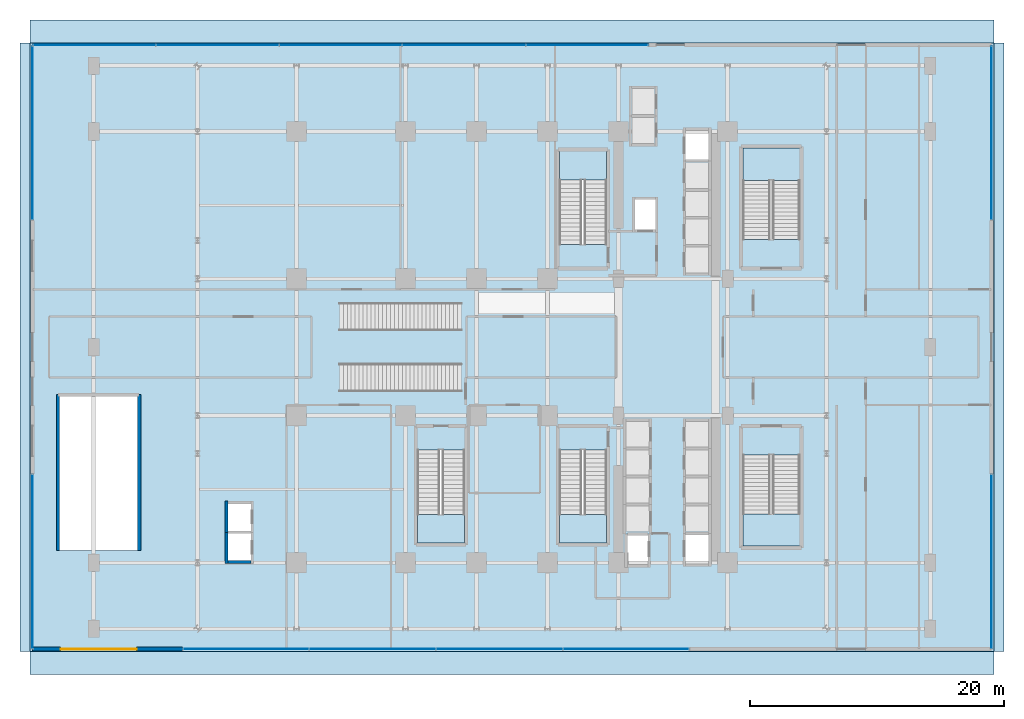
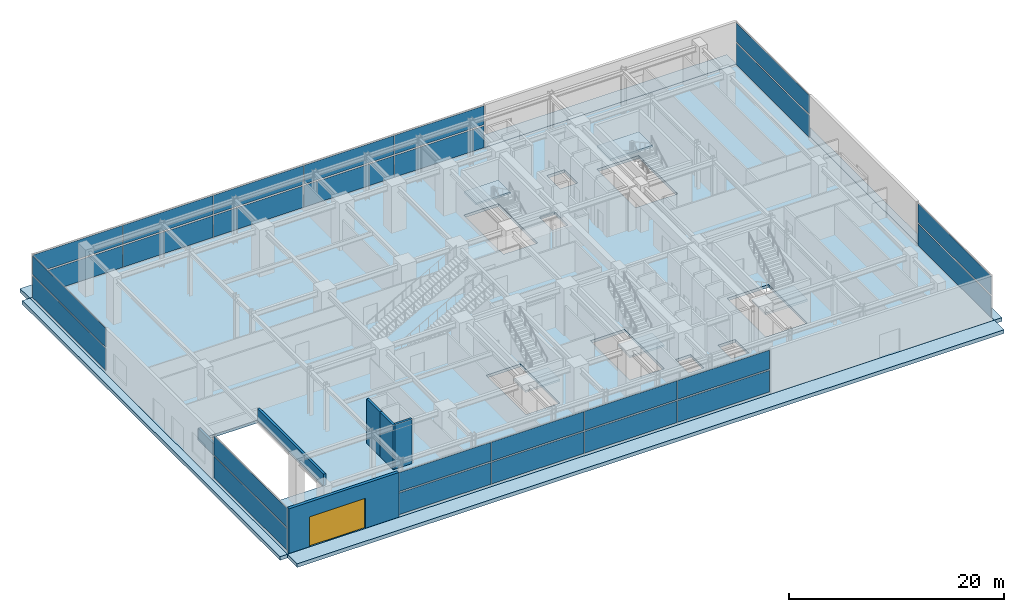
# One storey, part 21 of 29: 26 plates, 10 slabs, 6 walls, 1 door, 1 opening, 11 elements without a shape of their own.
"""IFC4 building model written with IfcOpenShell, lengths in metres."""

from ifc_helpers import new_model, si_unit, direction, frame, frame_2d, origin, origin_2d, place, context, subcontext, project, spatial, polyline, rectangle, outline, extrude, source, transform, mapped, material, layer, layer_set, type_object, element, fill, aggregate, save


model = new_model("IFC4")

# Units and contexts
model_context = context("Model", 3, precision=1e-05, world=origin(), true_north=direction((0.0, 1.0)))
body_context = subcontext(model_context, "Body", "Model", "MODEL_VIEW")
ifc_project = project(units=[si_unit("LENGTHUNIT", "METRE"), si_unit("AREAUNIT", "SQUARE_METRE"), si_unit("VOLUMEUNIT", "CUBIC_METRE"), si_unit("PLANEANGLEUNIT", "RADIAN"), si_unit("MASSUNIT", "GRAM", prefix="KILO")], contexts=[model_context])

# Site, building, storey
site_placement = place(None, origin())
site = spatial("IfcSite", under=ifc_project, at=site_placement, CompositionType="ELEMENT")
building_placement = place(site_placement, origin())
building = spatial("IfcBuilding", under=site, at=building_placement, Name="Nahalor Promenade Grand Hotel", CompositionType="ELEMENT")
storey_placement = place(building_placement, origin())
storey = spatial("IfcBuildingStorey", under=building, at=storey_placement, Name="L00", CompositionType="ELEMENT", Elevation=0.0)

# Stair, slab
ifc_material_1 = material(Name="Concrete B-50 (C40/50)", Category="concrete")
stair_type_1 = type_object("IfcStairType", Name="Stair-ST1", PredefinedType="HALF_TURN_STAIR", material=ifc_material_1)
stair_1_placement = place(storey_placement, origin())
stair_1 = element("IfcStair", 1, at=stair_1_placement, inside=storey, type_object=stair_type_1, Name="L00 ST1", PredefinedType="HALF_TURN_STAIR")
ifc_layer_1 = layer(ifc_material_1, 0.199951171875)
ifc_layer_set_1 = layer_set([ifc_layer_1], Name="Concrete B-50 (C40/50)")
slab_type_1 = type_object("IfcSlabType", Name="Landing-ST1", PredefinedType="LANDING", material=ifc_layer_set_1)
slab_1_placement = place(storey_placement, frame((0.0, 0.0, 2.5)))
slab_1 = element("IfcSlab", 2, at=slab_1_placement, type_object=slab_type_1, Name="ST1 landing 1", PredefinedType="LANDING", context=body_context, shape_type="SweptSolid", body=[
    extrude(outline(polyline([(7.449951171875, 13.199951171875), (7.449951171875, 15.449951171875), (3.75, 15.449951171875), (3.75, 13.199951171875), (7.449951171875, 13.199951171875)])), origin(), (0.0, 0.0, 1.0), 0.199951171875),
])
aggregate(stair_1, [slab_1])

stair_type_2 = type_object("IfcStairType", Name="Stair-ST2", PredefinedType="HALF_TURN_STAIR", material=ifc_material_1)
stair_2_placement = place(storey_placement, origin())
stair_2 = element("IfcStair", 3, at=stair_2_placement, inside=storey, type_object=stair_type_2, Name="L00 ST2", PredefinedType="HALF_TURN_STAIR")
ifc_layer_2 = layer(ifc_material_1, 0.2099609375)
ifc_layer_set_2 = layer_set([ifc_layer_2], Name="Concrete B-50 (C40/50)")
slab_type_2 = type_object("IfcSlabType", Name="Landing-ST2", PredefinedType="LANDING", material=ifc_layer_set_2)
slab_2_placement = place(storey_placement, frame((0.0, 0.0, 2.489990234375)))
slab_2 = element("IfcSlab", 4, at=slab_2_placement, type_object=slab_type_2, Name="ST2 landing 1", PredefinedType="LANDING", context=body_context, shape_type="SweptSolid", body=[
    extrude(outline(polyline([(3.75, -13.199951171875), (3.75, -15.449951171875), (7.449951171875, -15.449951171875), (7.449951171875, -13.199951171875), (3.75, -13.199951171875)])), origin(), (0.0, 0.0, 1.0), 0.2099609375),
])
aggregate(stair_2, [slab_2])

stair_type_3 = type_object("IfcStairType", Name="Stair-ST3", PredefinedType="HALF_TURN_STAIR", material=ifc_material_1)
stair_3_placement = place(storey_placement, origin())
stair_3 = element("IfcStair", 5, at=stair_3_placement, inside=storey, type_object=stair_type_3, Name="L00 ST3", PredefinedType="HALF_TURN_STAIR")
ifc_layer_3 = layer(ifc_material_1, 0.219970703125)
ifc_layer_set_3 = layer_set([ifc_layer_3], Name="Concrete B-50 (C40/50)")
slab_type_3 = type_object("IfcSlabType", Name="Landing-ST3", PredefinedType="LANDING", material=ifc_layer_set_3)
slab_3_placement = place(storey_placement, frame((0.0, 0.0, 2.47998046875)))
slab_3 = element("IfcSlab", 6, at=slab_3_placement, type_object=slab_type_3, Name="ST3 landing 1", PredefinedType="LANDING", context=body_context, shape_type="SweptSolid", body=[
    extrude(outline(polyline([(-7.449951171875, -13.199951171875), (-7.449951171875, -15.449951171875), (-3.75, -15.449951171875), (-3.75, -13.199951171875), (-7.449951171875, -13.199951171875)])), origin(), (0.0, 0.0, 1.0), 0.219970703125),
])
aggregate(stair_3, [slab_3])

stair_type_4 = type_object("IfcStairType", Name="Stair-ST4", PredefinedType="HALF_TURN_STAIR", material=ifc_material_1)
stair_4_placement = place(storey_placement, origin())
stair_4 = element("IfcStair", 7, at=stair_4_placement, inside=storey, type_object=stair_type_4, Name="L00 ST4", PredefinedType="HALF_TURN_STAIR")
ifc_layer_4 = layer(ifc_material_1, 0.239990234375)
ifc_layer_set_4 = layer_set([ifc_layer_4], Name="Concrete B-50 (C40/50)")
slab_type_4 = type_object("IfcSlabType", Name="Landing-ST4", PredefinedType="LANDING", material=ifc_layer_set_4)
slab_4_placement = place(storey_placement, frame((0.0, 0.0, 2.4599609375)))
slab_4 = element("IfcSlab", 8, at=slab_4_placement, type_object=slab_type_4, Name="ST4 landing 1", PredefinedType="LANDING", context=body_context, shape_type="SweptSolid", body=[
    extrude(outline(polyline([(22.699951171875, 13.14990234375), (22.699951171875, 15.699951171875), (18.199951171875, 15.699951171875), (18.199951171875, 13.14990234375), (22.699951171875, 13.14990234375)])), origin(), (0.0, 0.0, 1.0), 0.239990234375),
])
aggregate(stair_4, [slab_4])

stair_type_5 = type_object("IfcStairType", Name="Stair-ST5", PredefinedType="HALF_TURN_STAIR", material=ifc_material_1)
stair_5_placement = place(storey_placement, origin())
stair_5 = element("IfcStair", 9, at=stair_5_placement, inside=storey, type_object=stair_type_5, Name="L00 ST5", PredefinedType="HALF_TURN_STAIR")
ifc_layer_5 = layer(ifc_material_1, 0.25)
ifc_layer_set_5 = layer_set([ifc_layer_5], Name="Concrete B-50 (C40/50)")
slab_type_5 = type_object("IfcSlabType", Name="Landing-ST5", PredefinedType="LANDING", material=ifc_layer_set_5)
slab_5_placement = place(storey_placement, frame((0.0, 0.0, 2.449951171875)))
slab_5 = element("IfcSlab", 10, at=slab_5_placement, type_object=slab_type_5, Name="ST5 landing 1", PredefinedType="LANDING", context=body_context, shape_type="SweptSolid", body=[
    extrude(outline(polyline([(18.199951171875, -13.14990234375), (18.199951171875, -15.699951171875), (22.699951171875, -15.699951171875), (22.699951171875, -13.14990234375), (18.199951171875, -13.14990234375)])), origin(), (0.0, 0.0, 1.0), 0.25),
])
aggregate(stair_5, [slab_5])

# Slabs
ifc_layer_6 = layer(ifc_material_1, 0.320068359375)
ifc_layer_set_6 = layer_set([ifc_layer_6], Name="Concrete B-50 (C40/50)")
slab_type_6 = type_object("IfcSlabType", Name="Slab-Podium-320", PredefinedType="FLOOR", material=ifc_layer_set_6)
slab_6_placement = place(storey_placement, frame((0.0, 0.0, -0.320068359375)))
element("IfcSlab", 11, at=slab_6_placement, inside=storey, type_object=slab_type_6, Name="L00 Suspended Structural Floor Slab", PredefinedType="FLOOR", context=body_context, shape_type="SweptSolid", body=[
    extrude(outline(polyline([(-38.0, -24.0), (38.0, -24.0), (38.0, 24.0), (-38.0, 24.0), (-38.0, -24.0)]), holes=[polyline([(3.75, 8.10009765625), (7.449951171875, 8.10009765625), (7.449951171875, 15.449951171875), (3.75, 15.449951171875), (3.75, 8.10009765625)]), polyline([(3.75, -15.449951171875), (7.449951171875, -15.449951171875), (7.449951171875, -8.10009765625), (3.75, -8.10009765625), (3.75, -15.449951171875)]), polyline([(-7.449951171875, -15.449951171875), (-3.75, -15.449951171875), (-3.75, -8.10009765625), (-7.449951171875, -8.10009765625), (-7.449951171875, -15.449951171875)]), polyline([(18.199951171875, 8.5), (22.699951171875, 8.5), (22.699951171875, 15.699951171875), (18.199951171875, 15.699951171875), (18.199951171875, 8.5)]), polyline([(18.199951171875, -15.699951171875), (22.699951171875, -15.699951171875), (22.699951171875, -8.5), (18.199951171875, -8.5), (18.199951171875, -15.699951171875)]), polyline([(9.659912109375, 9.2099609375), (11.340087890625, 9.2099609375), (11.340087890625, 11.68994140625), (9.659912109375, 11.68994140625), (9.659912109375, 9.2099609375)]), polyline([(9.06005859375, -17.18994140625), (10.739990234375, -17.18994140625), (10.739990234375, -14.7099609375), (9.06005859375, -14.7099609375), (9.06005859375, -17.18994140625)]), polyline([(13.659912109375, 14.659912109375), (15.5400390625, 14.659912109375), (15.5400390625, 17.139892578125), (13.659912109375, 17.139892578125), (13.659912109375, 14.659912109375)]), polyline([(13.659912109375, -17.139892578125), (15.5400390625, -17.139892578125), (15.5400390625, -14.659912109375), (13.659912109375, -14.659912109375), (13.659912109375, -17.139892578125)]), polyline([(-22.43994140625, -16.889892578125), (-20.56005859375, -16.889892578125), (-20.56005859375, -14.7099609375), (-22.43994140625, -14.7099609375), (-22.43994140625, -16.889892578125)]), polyline([(-22.43994140625, -14.489990234375), (-20.56005859375, -14.489990234375), (-20.56005859375, -12.31005859375), (-22.43994140625, -12.31005859375), (-22.43994140625, -14.489990234375)]), polyline([(-35.75, -16.050048828125), (-29.449951171875, -16.050048828125), (-29.449951171875, -3.75), (-35.75, -3.75), (-35.75, -16.050048828125)])]), origin(), (0.0, 0.0, 1.0), 0.320068359375),
])
ifc_material_2 = material(Name="Concrete B-40 (C32/40)", Category="concrete")
ifc_layer_7 = layer(ifc_material_2, 0.419921875)
ifc_layer_set_7 = layer_set([ifc_layer_7], Name="Concrete B-40 (C32/40)")
slab_type_7 = type_object("IfcSlabType", Name="Slab-Promenade-420", PredefinedType="FLOOR", material=ifc_layer_set_7)
slab_7_placement = place(storey_placement, frame((0.0, 0.0, -0.419921875)))
element("IfcSlab", 12, at=slab_7_placement, inside=storey, type_object=slab_type_7, Name="L00 Waterfront Promenade Terrace SL-L00-PROM-W", PredefinedType="FLOOR", context=body_context, shape_type="SweptSolid", body=[
    extrude(outline(polyline([(-38.800048828125, -24.0), (-38.0, -24.0), (-38.0, 24.0), (-38.800048828125, 24.0), (-38.800048828125, -24.0)])), origin(), (0.0, 0.0, 1.0), 0.419921875),
])
slab_8_placement = place(storey_placement, frame((0.0, 0.0, -0.419921875)))
element("IfcSlab", 13, at=slab_8_placement, inside=storey, type_object=slab_type_7, Name="L00 Waterfront Promenade Terrace SL-L00-PROM-E", PredefinedType="FLOOR", context=body_context, shape_type="SweptSolid", body=[
    extrude(outline(polyline([(38.0, -24.0), (38.800048828125, -24.0), (38.800048828125, 24.0), (38.0, 24.0), (38.0, -24.0)])), origin(), (0.0, 0.0, 1.0), 0.419921875),
])
slab_9_placement = place(storey_placement, frame((0.0, 0.0, -0.419921875)))
element("IfcSlab", 14, at=slab_9_placement, inside=storey, type_object=slab_type_7, Name="L00 Waterfront Promenade Terrace SL-L00-PROM-S", PredefinedType="FLOOR", context=body_context, shape_type="SweptSolid", body=[
    extrude(outline(polyline([(-38.0, -25.800048828125), (38.0, -25.800048828125), (38.0, -24.0), (-38.0, -24.0), (-38.0, -25.800048828125)])), origin(), (0.0, 0.0, 1.0), 0.419921875),
])
slab_10_placement = place(storey_placement, frame((0.0, 0.0, -0.419921875)))
element("IfcSlab", 15, at=slab_10_placement, inside=storey, type_object=slab_type_7, Name="L00 Waterfront Promenade Terrace SL-L00-PROM-N", PredefinedType="FLOOR", context=body_context, shape_type="SweptSolid", body=[
    extrude(outline(polyline([(-38.0, 24.0), (38.0, 24.0), (38.0, 25.800048828125), (-38.0, 25.800048828125), (-38.0, 24.0)])), origin(), (0.0, 0.0, 1.0), 0.419921875),
])

# Curtain wall, plates
ifc_material_3 = material(Name="Anodised Bronze Aluminium EN AW-6063 T6", Category="aluminium")
curtain_wall_type = type_object("IfcCurtainWallType", Name="CW1 Waterfront Podium Bronze Arcade Curtain Wall", PredefinedType="USERDEFINED", material=ifc_material_3)
curtain_wall_1_placement = place(storey_placement, origin())
curtain_wall_1 = element("IfcCurtainWall", 16, at=curtain_wall_1_placement, inside=storey, type_object=curtain_wall_type, Name="L00 Curtain Wall CW-L00-S-MID", ObjectType="UNITISED_CURTAIN_WALL", PredefinedType="USERDEFINED")
ifc_material_4 = material(Name="Low-E Laminated Solar Glass", Category="glass")
ifc_layer_8 = layer(ifc_material_4, 0.031982421875)
ifc_layer_set_8 = layer_set([ifc_layer_8], Name="Low-E Laminated Solar Glass")
plate_type = type_object("IfcPlateType", Name="CWP1 Podium Solar Acoustic IGU 32mm", PredefinedType="CURTAIN_PANEL", material=ifc_layer_set_8)
shared_shape_1 = source(origin(), body_context, "Body", "SweptSolid", [
    extrude(rectangle(XDim=9.8798828125, YDim=0.031982421875, at=origin_2d()), origin(), (0.0, 0.0, 1.0), 2.4599609375),
])
plate_1_placement = place(storey_placement, frame((-20.97998046875, -23.820068359375, 0.159912109375), z_axis=(0.0, 0.0, 1.0), x_axis=(1.0, 0.0, 0.0)))
plate_1 = element("IfcPlate", 17, at=plate_1_placement, type_object=plate_type, Name="CW-L00-S-MID Glazing Panel 0-0", PredefinedType="CURTAIN_PANEL", context=body_context, shape_type="MappedRepresentation", body=[
    mapped(shared_shape_1, transform((0.0, 0.0, 0.0), scale=1.0)),
])
plate_2_placement = place(storey_placement, frame((8.97998046875, -23.820068359375, 0.159912109375), z_axis=(0.0, 0.0, 1.0), x_axis=(1.0, 0.0, 0.0)))
plate_2 = element("IfcPlate", 18, at=plate_2_placement, type_object=plate_type, Name="CW-L00-S-MID Glazing Panel 3-0", PredefinedType="CURTAIN_PANEL", context=body_context, shape_type="MappedRepresentation", body=[
    mapped(shared_shape_1, transform((0.0, 0.0, 0.0), scale=1.0)),
])
shared_shape_2 = source(origin(), body_context, "Body", "SweptSolid", [
    extrude(rectangle(XDim=9.8798828125, YDim=0.031982421875, at=origin_2d()), origin(), (0.0, 0.0, 1.0), 2.139892578125),
])
plate_3_placement = place(storey_placement, frame((-20.97998046875, -23.820068359375, 2.7802734375), z_axis=(0.0, 0.0, 1.0), x_axis=(1.0, 0.0, 0.0)))
plate_3 = element("IfcPlate", 19, at=plate_3_placement, type_object=plate_type, Name="CW-L00-S-MID Glazing Panel 0-1", PredefinedType="CURTAIN_PANEL", context=body_context, shape_type="MappedRepresentation", body=[
    mapped(shared_shape_2, transform((0.0, 0.0, 0.0), scale=1.0)),
])
plate_4_placement = place(storey_placement, frame((8.97998046875, -23.820068359375, 2.7802734375), z_axis=(0.0, 0.0, 1.0), x_axis=(1.0, 0.0, 0.0)))
plate_4 = element("IfcPlate", 20, at=plate_4_placement, type_object=plate_type, Name="CW-L00-S-MID Glazing Panel 3-1", PredefinedType="CURTAIN_PANEL", context=body_context, shape_type="MappedRepresentation", body=[
    mapped(shared_shape_2, transform((0.0, 0.0, 0.0), scale=1.0)),
])
shared_shape_3 = source(origin(), body_context, "Body", "SweptSolid", [
    extrude(rectangle(XDim=9.919921875, YDim=0.031982421875, at=origin_2d()), origin(), (0.0, 0.0, 1.0), 2.4599609375),
])
plate_5_placement = place(storey_placement, frame((-11.0, -23.820068359375, 0.159912109375), z_axis=(0.0, 0.0, 1.0), x_axis=(1.0, 0.0, 0.0)))
plate_5 = element("IfcPlate", 21, at=plate_5_placement, type_object=plate_type, Name="CW-L00-S-MID Glazing Panel 1-0", PredefinedType="CURTAIN_PANEL", context=body_context, shape_type="MappedRepresentation", body=[
    mapped(shared_shape_3, transform((0.0, 0.0, 0.0), scale=1.0)),
])
plate_6_placement = place(storey_placement, frame((-1.0, -23.820068359375, 0.159912109375), z_axis=(0.0, 0.0, 1.0), x_axis=(1.0, 0.0, 0.0)))
plate_6 = element("IfcPlate", 22, at=plate_6_placement, type_object=plate_type, Name="CW-L00-S-MID Glazing Panel 2-0", PredefinedType="CURTAIN_PANEL", context=body_context, shape_type="MappedRepresentation", body=[
    mapped(shared_shape_3, transform((0.0, 0.0, 0.0), scale=1.0)),
])
shared_shape_4 = source(origin(), body_context, "Body", "SweptSolid", [
    extrude(rectangle(XDim=9.919921875, YDim=0.031982421875, at=origin_2d()), origin(), (0.0, 0.0, 1.0), 2.139892578125),
])
plate_7_placement = place(storey_placement, frame((-11.0, -23.820068359375, 2.7802734375), z_axis=(0.0, 0.0, 1.0), x_axis=(1.0, 0.0, 0.0)))
plate_7 = element("IfcPlate", 23, at=plate_7_placement, type_object=plate_type, Name="CW-L00-S-MID Glazing Panel 1-1", PredefinedType="CURTAIN_PANEL", context=body_context, shape_type="MappedRepresentation", body=[
    mapped(shared_shape_4, transform((0.0, 0.0, 0.0), scale=1.0)),
])
plate_8_placement = place(storey_placement, frame((-1.0, -23.820068359375, 2.7802734375), z_axis=(0.0, 0.0, 1.0), x_axis=(1.0, 0.0, 0.0)))
plate_8 = element("IfcPlate", 24, at=plate_8_placement, type_object=plate_type, Name="CW-L00-S-MID Glazing Panel 2-1", PredefinedType="CURTAIN_PANEL", context=body_context, shape_type="MappedRepresentation", body=[
    mapped(shared_shape_4, transform((0.0, 0.0, 0.0), scale=1.0)),
])
aggregate(curtain_wall_1, [plate_1, plate_3, plate_5, plate_7, plate_6, plate_8, plate_2, plate_4])

curtain_wall_2_placement = place(storey_placement, origin())
curtain_wall_2 = element("IfcCurtainWall", 25, at=curtain_wall_2_placement, inside=storey, type_object=curtain_wall_type, Name="L00 Curtain Wall CW-L00-N-MID", ObjectType="UNITISED_CURTAIN_WALL", PredefinedType="USERDEFINED")
shared_shape_5 = source(origin(), body_context, "Body", "SweptSolid", [
    extrude(rectangle(XDim=9.60400390625, YDim=0.031982421875, at=origin_2d()), origin(), (0.0, 0.0, 1.0), 2.4599609375),
])
plate_9_placement = place(storey_placement, frame((-32.93798828125, 23.820068359375, 0.159912109375), z_axis=(0.0, 0.0, 1.0), x_axis=(1.0, 0.0, 0.0)))
plate_9 = element("IfcPlate", 26, at=plate_9_placement, type_object=plate_type, Name="CW-L00-N-MID Glazing Panel 0-0", PredefinedType="CURTAIN_PANEL", context=body_context, shape_type="MappedRepresentation", body=[
    mapped(shared_shape_5, transform((0.0, 0.0, 0.0), scale=1.0)),
])
plate_10_placement = place(storey_placement, frame((5.91796875, 23.820068359375, 0.159912109375), z_axis=(0.0, 0.0, 1.0), x_axis=(1.0, 0.0, 0.0)))
plate_10 = element("IfcPlate", 27, at=plate_10_placement, type_object=plate_type, Name="CW-L00-N-MID Glazing Panel 4-0", PredefinedType="CURTAIN_PANEL", context=body_context, shape_type="MappedRepresentation", body=[
    mapped(shared_shape_5, transform((0.0, 0.0, 0.0), scale=1.0)),
])
shared_shape_6 = source(origin(), body_context, "Body", "SweptSolid", [
    extrude(rectangle(XDim=9.60400390625, YDim=0.031982421875, at=origin_2d()), origin(), (0.0, 0.0, 1.0), 2.139892578125),
])
plate_11_placement = place(storey_placement, frame((-32.93798828125, 23.820068359375, 2.7802734375), z_axis=(0.0, 0.0, 1.0), x_axis=(1.0, 0.0, 0.0)))
plate_11 = element("IfcPlate", 28, at=plate_11_placement, type_object=plate_type, Name="CW-L00-N-MID Glazing Panel 0-1", PredefinedType="CURTAIN_PANEL", context=body_context, shape_type="MappedRepresentation", body=[
    mapped(shared_shape_6, transform((0.0, 0.0, 0.0), scale=1.0)),
])
plate_12_placement = place(storey_placement, frame((5.91796875, 23.820068359375, 2.7802734375), z_axis=(0.0, 0.0, 1.0), x_axis=(1.0, 0.0, 0.0)))
plate_12 = element("IfcPlate", 29, at=plate_12_placement, type_object=plate_type, Name="CW-L00-N-MID Glazing Panel 4-1", PredefinedType="CURTAIN_PANEL", context=body_context, shape_type="MappedRepresentation", body=[
    mapped(shared_shape_6, transform((0.0, 0.0, 0.0), scale=1.0)),
])
shared_shape_7 = source(origin(), body_context, "Body", "SweptSolid", [
    extrude(rectangle(XDim=9.64404296875, YDim=0.031982421875, at=origin_2d()), origin(), (0.0, 0.0, 1.0), 2.4599609375),
])
plate_13_placement = place(storey_placement, frame((-23.23388671875, 23.820068359375, 0.159912109375), z_axis=(0.0, 0.0, 1.0), x_axis=(1.0, 0.0, 0.0)))
plate_13 = element("IfcPlate", 30, at=plate_13_placement, type_object=plate_type, Name="CW-L00-N-MID Glazing Panel 1-0", PredefinedType="CURTAIN_PANEL", context=body_context, shape_type="MappedRepresentation", body=[
    mapped(shared_shape_7, transform((0.0, 0.0, 0.0), scale=1.0)),
])
plate_14_placement = place(storey_placement, frame((-13.510009765625, 23.820068359375, 0.159912109375), z_axis=(0.0, 0.0, 1.0), x_axis=(1.0, 0.0, 0.0)))
plate_14 = element("IfcPlate", 31, at=plate_14_placement, type_object=plate_type, Name="CW-L00-N-MID Glazing Panel 2-0", PredefinedType="CURTAIN_PANEL", context=body_context, shape_type="MappedRepresentation", body=[
    mapped(shared_shape_7, transform((0.0, 0.0, 0.0), scale=1.0)),
])
plate_15_placement = place(storey_placement, frame((-3.785888671875, 23.820068359375, 0.159912109375), z_axis=(0.0, 0.0, 1.0), x_axis=(1.0, 0.0, 0.0)))
plate_15 = element("IfcPlate", 32, at=plate_15_placement, type_object=plate_type, Name="CW-L00-N-MID Glazing Panel 3-0", PredefinedType="CURTAIN_PANEL", context=body_context, shape_type="MappedRepresentation", body=[
    mapped(shared_shape_7, transform((0.0, 0.0, 0.0), scale=1.0)),
])
shared_shape_8 = source(origin(), body_context, "Body", "SweptSolid", [
    extrude(rectangle(XDim=9.64404296875, YDim=0.031982421875, at=origin_2d()), origin(), (0.0, 0.0, 1.0), 2.139892578125),
])
plate_16_placement = place(storey_placement, frame((-23.23388671875, 23.820068359375, 2.7802734375), z_axis=(0.0, 0.0, 1.0), x_axis=(1.0, 0.0, 0.0)))
plate_16 = element("IfcPlate", 33, at=plate_16_placement, type_object=plate_type, Name="CW-L00-N-MID Glazing Panel 1-1", PredefinedType="CURTAIN_PANEL", context=body_context, shape_type="MappedRepresentation", body=[
    mapped(shared_shape_8, transform((0.0, 0.0, 0.0), scale=1.0)),
])
plate_17_placement = place(storey_placement, frame((-13.510009765625, 23.820068359375, 2.7802734375), z_axis=(0.0, 0.0, 1.0), x_axis=(1.0, 0.0, 0.0)))
plate_17 = element("IfcPlate", 34, at=plate_17_placement, type_object=plate_type, Name="CW-L00-N-MID Glazing Panel 2-1", PredefinedType="CURTAIN_PANEL", context=body_context, shape_type="MappedRepresentation", body=[
    mapped(shared_shape_8, transform((0.0, 0.0, 0.0), scale=1.0)),
])
plate_18_placement = place(storey_placement, frame((-3.785888671875, 23.820068359375, 2.7802734375), z_axis=(0.0, 0.0, 1.0), x_axis=(1.0, 0.0, 0.0)))
plate_18 = element("IfcPlate", 35, at=plate_18_placement, type_object=plate_type, Name="CW-L00-N-MID Glazing Panel 3-1", PredefinedType="CURTAIN_PANEL", context=body_context, shape_type="MappedRepresentation", body=[
    mapped(shared_shape_8, transform((0.0, 0.0, 0.0), scale=1.0)),
])
aggregate(curtain_wall_2, [plate_9, plate_11, plate_13, plate_16, plate_14, plate_17, plate_15, plate_18, plate_10, plate_12])

# Curtain wall, plate
curtain_wall_3_placement = place(storey_placement, origin())
curtain_wall_3 = element("IfcCurtainWall", 36, at=curtain_wall_3_placement, inside=storey, type_object=curtain_wall_type, Name="L00 Curtain Wall CW-L00-W-S", ObjectType="UNITISED_CURTAIN_WALL", PredefinedType="USERDEFINED")
shared_shape_9 = source(origin(), body_context, "Body", "SweptSolid", [
    extrude(rectangle(XDim=13.659912109375, YDim=0.031982421875, at=origin_2d()), origin(), (0.0, 0.0, 1.0), 2.4599609375),
])
plate_19_placement = place(storey_placement, frame((-37.820068359375, -16.909912109375, 0.159912109375), z_axis=(0.0, 0.0, 1.0), x_axis=(0.0, 1.0, 0.0)))
plate_19 = element("IfcPlate", 37, at=plate_19_placement, type_object=plate_type, Name="CW-L00-W-S Glazing Panel 0-0", PredefinedType="CURTAIN_PANEL", context=body_context, shape_type="MappedRepresentation", body=[
    mapped(shared_shape_9, transform((0.0, 0.0, 0.0), scale=1.0)),
])

curtain_wall_4_placement = place(storey_placement, origin())
curtain_wall_4 = element("IfcCurtainWall", 38, at=curtain_wall_4_placement, inside=storey, type_object=curtain_wall_type, Name="L00 Curtain Wall CW-L00-W-N", ObjectType="UNITISED_CURTAIN_WALL", PredefinedType="USERDEFINED")
plate_20_placement = place(storey_placement, frame((-37.820068359375, 16.909912109375, 0.159912109375), z_axis=(0.0, 0.0, 1.0), x_axis=(0.0, 1.0, 0.0)))
plate_20 = element("IfcPlate", 39, at=plate_20_placement, type_object=plate_type, Name="CW-L00-W-N Glazing Panel 0-0", PredefinedType="CURTAIN_PANEL", context=body_context, shape_type="MappedRepresentation", body=[
    mapped(shared_shape_9, transform((0.0, 0.0, 0.0), scale=1.0)),
])

curtain_wall_5_placement = place(storey_placement, origin())
curtain_wall_5 = element("IfcCurtainWall", 40, at=curtain_wall_5_placement, inside=storey, type_object=curtain_wall_type, Name="L00 Curtain Wall CW-L00-E-S", ObjectType="UNITISED_CURTAIN_WALL", PredefinedType="USERDEFINED")
plate_21_placement = place(storey_placement, frame((37.820068359375, -16.909912109375, 0.159912109375), z_axis=(0.0, 0.0, 1.0), x_axis=(0.0, 1.0, 0.0)))
plate_21 = element("IfcPlate", 41, at=plate_21_placement, type_object=plate_type, Name="CW-L00-E-S Glazing Panel 0-0", PredefinedType="CURTAIN_PANEL", context=body_context, shape_type="MappedRepresentation", body=[
    mapped(shared_shape_9, transform((0.0, 0.0, 0.0), scale=1.0)),
])

curtain_wall_6_placement = place(storey_placement, origin())
curtain_wall_6 = element("IfcCurtainWall", 42, at=curtain_wall_6_placement, inside=storey, type_object=curtain_wall_type, Name="L00 Curtain Wall CW-L00-E-N", ObjectType="UNITISED_CURTAIN_WALL", PredefinedType="USERDEFINED")
plate_22_placement = place(storey_placement, frame((37.820068359375, 16.909912109375, 0.159912109375), z_axis=(0.0, 0.0, 1.0), x_axis=(0.0, 1.0, 0.0)))
plate_22 = element("IfcPlate", 43, at=plate_22_placement, type_object=plate_type, Name="CW-L00-E-N Glazing Panel 0-0", PredefinedType="CURTAIN_PANEL", context=body_context, shape_type="MappedRepresentation", body=[
    mapped(shared_shape_9, transform((0.0, 0.0, 0.0), scale=1.0)),
])

# Plate
shared_shape_10 = source(origin(), body_context, "Body", "SweptSolid", [
    extrude(rectangle(XDim=13.659912109375, YDim=0.031982421875, at=origin_2d()), origin(), (0.0, 0.0, 1.0), 2.139892578125),
])
plate_23_placement = place(storey_placement, frame((-37.820068359375, -16.909912109375, 2.7802734375), z_axis=(0.0, 0.0, 1.0), x_axis=(0.0, 1.0, 0.0)))
plate_23 = element("IfcPlate", 44, at=plate_23_placement, type_object=plate_type, Name="CW-L00-W-S Glazing Panel 0-1", PredefinedType="CURTAIN_PANEL", context=body_context, shape_type="MappedRepresentation", body=[
    mapped(shared_shape_10, transform((0.0, 0.0, 0.0), scale=1.0)),
])

aggregate(curtain_wall_3, [plate_19, plate_23])

plate_24_placement = place(storey_placement, frame((-37.820068359375, 16.909912109375, 2.7802734375), z_axis=(0.0, 0.0, 1.0), x_axis=(0.0, 1.0, 0.0)))
plate_24 = element("IfcPlate", 45, at=plate_24_placement, type_object=plate_type, Name="CW-L00-W-N Glazing Panel 0-1", PredefinedType="CURTAIN_PANEL", context=body_context, shape_type="MappedRepresentation", body=[
    mapped(shared_shape_10, transform((0.0, 0.0, 0.0), scale=1.0)),
])

aggregate(curtain_wall_4, [plate_20, plate_24])

plate_25_placement = place(storey_placement, frame((37.820068359375, -16.909912109375, 2.7802734375), z_axis=(0.0, 0.0, 1.0), x_axis=(0.0, 1.0, 0.0)))
plate_25 = element("IfcPlate", 46, at=plate_25_placement, type_object=plate_type, Name="CW-L00-E-S Glazing Panel 0-1", PredefinedType="CURTAIN_PANEL", context=body_context, shape_type="MappedRepresentation", body=[
    mapped(shared_shape_10, transform((0.0, 0.0, 0.0), scale=1.0)),
])

aggregate(curtain_wall_5, [plate_21, plate_25])

plate_26_placement = place(storey_placement, frame((37.820068359375, 16.909912109375, 2.7802734375), z_axis=(0.0, 0.0, 1.0), x_axis=(0.0, 1.0, 0.0)))
plate_26 = element("IfcPlate", 47, at=plate_26_placement, type_object=plate_type, Name="CW-L00-E-N Glazing Panel 0-1", PredefinedType="CURTAIN_PANEL", context=body_context, shape_type="MappedRepresentation", body=[
    mapped(shared_shape_10, transform((0.0, 0.0, 0.0), scale=1.0)),
])

aggregate(curtain_wall_6, [plate_22, plate_26])

# Walls
ifc_layer_9 = layer(ifc_material_1, 0.219970703125)
ifc_layer_set_9 = layer_set([ifc_layer_9], Name="Concrete B-50 (C40/50)")
wall_type_1 = type_object("IfcWallType", Name="Wall-LiftShaft-220", PredefinedType="SHEAR", material=ifc_layer_set_9)
shared_shape_11 = source(origin(), body_context, "Body", "SweptSolid", [
    extrude(rectangle(XDim=2.4599609375, YDim=0.219970703125, at=frame_2d((1.22998046875, 0.0))), origin(), (0.0, 0.0, 1.0), 5.080078125),
])
wall_1_placement = place(storey_placement, frame((-22.52001953125, -17.06005859375, 0.0), z_axis=(0.0, 0.0, 1.0), x_axis=(0.0, 1.0, 0.0)))
element("IfcWall", 48, at=wall_1_placement, inside=storey, type_object=wall_type_1, Name="L00 Lift PD1 Hoistway Wall W", PredefinedType="SHEAR", context=body_context, shape_type="MappedRepresentation", body=[
    mapped(shared_shape_11, transform((0.0, 0.0, 0.0), scale=1.0)),
])
shared_shape_12 = source(origin(), body_context, "Body", "SweptSolid", [
    extrude(rectangle(XDim=1.81982421875, YDim=0.219970703125, at=frame_2d((0.909912109375, 0.0))), origin(), (0.0, 0.0, 1.0), 5.080078125),
])
wall_2_placement = place(storey_placement, frame((-22.409912109375, -16.949951171875, 0.0), z_axis=(0.0, 0.0, 1.0), x_axis=(1.0, 0.0, 0.0)))
element("IfcWall", 49, at=wall_2_placement, inside=storey, type_object=wall_type_1, Name="L00 Lift PD1 Hoistway Wall S", PredefinedType="SHEAR", context=body_context, shape_type="MappedRepresentation", body=[
    mapped(shared_shape_12, transform((0.0, 0.0, 0.0), scale=1.0)),
])
shared_shape_13 = source(origin(), body_context, "Body", "SweptSolid", [
    extrude(rectangle(XDim=2.460205078125, YDim=0.219970703125, at=frame_2d((1.22998046875, 0.0))), origin(), (0.0, 0.0, 1.0), 5.080078125),
])
wall_3_placement = place(storey_placement, frame((-22.52001953125, -14.60009765625, 0.0), z_axis=(0.0, 0.0, 1.0), x_axis=(0.0, 1.0, 0.0)))
element("IfcWall", 50, at=wall_3_placement, inside=storey, type_object=wall_type_1, Name="L00 Lift PD2 Hoistway Wall W", PredefinedType="SHEAR", context=body_context, shape_type="MappedRepresentation", body=[
    mapped(shared_shape_13, transform((0.0, 0.0, 0.0), scale=1.0)),
])
ifc_layer_10 = layer(ifc_material_1, 0.25)
ifc_layer_set_10 = layer_set([ifc_layer_10], Name="Concrete B-50 (C40/50)")
wall_type_2 = type_object("IfcWallType", Name="Wall-RampKerb-250", PredefinedType="PARTITIONING", material=ifc_layer_set_10)
shared_shape_14 = source(origin(), body_context, "Body", "SweptSolid", [
    extrude(rectangle(XDim=12.300048828125, YDim=0.25, at=frame_2d((6.14990234375, 0.0))), origin(), (0.0, 0.0, 1.0), 1.300048828125),
])
for number, where, z_axis, x_axis, name in (
    (51, (-35.800048828125, -16.050048828125, 0.0), (0.0, 0.0, 1.0), (0.0, 1.0, 0.0), "W-RWELL-L00-W"),
    (52, (-29.39990234375, -16.050048828125, 0.0), (0.0, 0.0, 1.0), (0.0, 1.0, 0.0), "W-RWELL-L00-E"),
):
    element("IfcWall", number, at=place(storey_placement, frame(where, z_axis=z_axis, x_axis=x_axis)), inside=storey, type_object=wall_type_2, Name=name, PredefinedType="PARTITIONING", context=body_context, shape_type="MappedRepresentation", body=[
        mapped(shared_shape_14, transform((0.0, 0.0, 0.0), scale=1.0)),
    ])

# Wall, opening, door
ifc_layer_11 = layer(ifc_material_2, 0.320068359375)
ifc_layer_set_11 = layer_set([ifc_layer_11], Name="Concrete B-40 (C32/40)")
wall_type_3 = type_object("IfcWallType", Name="Wall-LimestonePier-320", PredefinedType="STANDARD", material=ifc_layer_set_11)
shared_shape_15 = source(origin(), body_context, "Body", "SweptSolid", [
    extrude(rectangle(XDim=11.820068359375, YDim=0.320068359375, at=frame_2d((5.91015625, 0.0))), origin(), (0.0, 0.0, 1.0), 5.080078125),
])
wall_4_placement = place(storey_placement, frame((-37.820068359375, -23.820068359375, 0.0), z_axis=(0.0, 0.0, 1.0), x_axis=(1.0, 0.0, 0.0)))
wall_4 = element("IfcWall", 53, at=wall_4_placement, inside=storey, type_object=wall_type_3, Name="W-L00-S1", PredefinedType="STANDARD", context=body_context, shape_type="MappedRepresentation", body=[
    mapped(shared_shape_15, transform((0.0, 0.0, 0.0), scale=1.0)),
])
opening_placement = place(wall_4_placement, frame((2.219970703125, 0.0, 0.0)))
opening = element("IfcOpeningElement", 54, at=opening_placement, cuts=wall_4, Name="Opening RO-01", PredefinedType="OPENING", context=body_context, shape_type="SweptSolid", body=[
    extrude(rectangle(XDim=6.0, YDim=3.39990234375, at=frame_2d((3.0, 1.699951171875))), frame((0.0, 0.169921875, 0.0), z_axis=(0.0, -1.0, 0.0), x_axis=(1.0, 0.0, 0.0)), (0.0, 0.0, 1.0), 0.340087890625),
])
ifc_material_5 = material(Name="Steel S355JR", Category="steel")
door_type = type_object("IfcDoorType", Name="Door-VehicleGate-6000", OperationType="ROLLINGUP", PredefinedType="GATE", material=ifc_material_5)
shared_shape_16 = source(origin(), body_context, "Body", "SweptSolid", [
    extrude(rectangle(XDim=6.0, YDim=3.39990234375, at=frame_2d((3.0, 1.699951171875))), frame((0.0, 0.02490234375, 0.0), z_axis=(0.0, -1.0, 0.0), x_axis=(1.0, 0.0, 0.0)), (0.0, 0.0, 1.0), 0.050048828125),
])
door_placement = place(opening_placement, frame((6.0, 0.0, 0.0), z_axis=(0.0, 0.0, 1.0), x_axis=(-1.0, 0.0, 0.0)))
door = element("IfcDoor", 55, at=door_placement, inside=storey, type_object=door_type, Name="DR-L00-RO01", OperationType="ROLLINGUP", OverallHeight=3.39990234375, OverallWidth=6.0, PredefinedType="GATE", context=body_context, shape_type="MappedRepresentation", body=[
    mapped(shared_shape_16, transform((0.0, 0.0, 0.0), scale=1.0)),
])
fill(opening, door)

save(model, "model.ifc")
